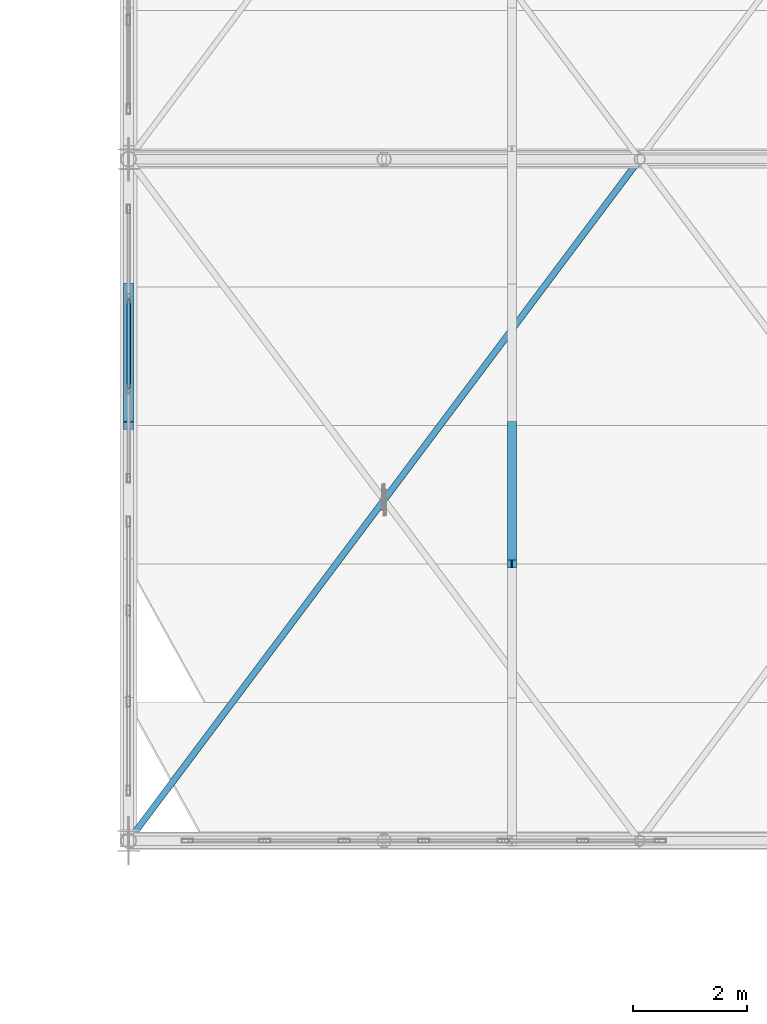
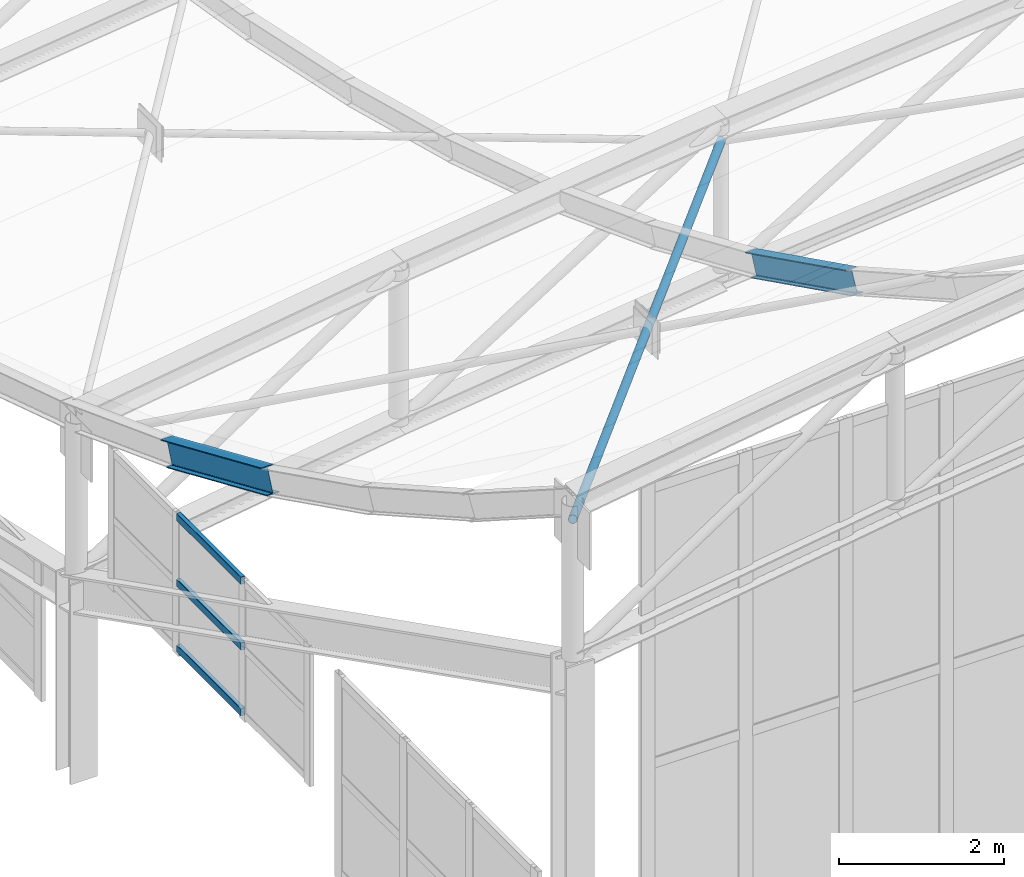
# One storey, part 43 of 262: 6 members, 1 element without a shape of its own.
"""IFC4 building model written with IfcOpenShell, lengths in metres."""

from ifc_helpers import new_model, si_unit, derived_unit, direction, frame, origin, origin_2d, place, context, subcontext, project, spatial, hollow_rectangle, hollow_circle, i_section, extrude, material, layer, layer_set, material_profile, profile_set, type_object, element, aggregate, save


model = new_model("IFC4")

# Units and contexts
model_context = context("Model", 3, precision=1e-05, world=origin(), true_north=direction((0.0, 1.0)))
body_context = subcontext(model_context, "Body", "Model", "MODEL_VIEW")
ifc_project = project(units=[si_unit("LENGTHUNIT", "METRE"), si_unit("AREAUNIT", "SQUARE_METRE"), si_unit("VOLUMEUNIT", "CUBIC_METRE"), si_unit("PLANEANGLEUNIT", "RADIAN"), si_unit("MASSUNIT", "GRAM", prefix="KILO"), derived_unit("THERMALTRANSMITTANCEUNIT", [(si_unit("POWERUNIT", "WATT"), 1), (si_unit("LENGTHUNIT", "METRE"), -2), (si_unit("THERMODYNAMICTEMPERATUREUNIT", "KELVIN"), -1)])], contexts=[model_context])

# Site, building, storey
site_placement = place(None, origin())
site = spatial("IfcSite", under=ifc_project, at=site_placement, CompositionType="ELEMENT")
building_placement = place(site_placement, origin())
building = spatial("IfcBuilding", under=site, at=building_placement, Name="Almenara Railside Exhibition Hall", CompositionType="ELEMENT")
storey_placement = place(building_placement, frame((0.0, 0.0, 21.699951171875)))
storey = spatial("IfcBuildingStorey", under=building, at=storey_placement, Name="RF", CompositionType="ELEMENT", Elevation=21.699951171875)

# Curtain wall, members
ifc_material_1 = material(Name="Bronze-anodised aluminium and low-E double glazing", Category="aluminium")
ifc_layer = layer(ifc_material_1, 0.179931640625, Name="Bronze-anodised aluminium and low-E double glazing")
ifc_layer_set = layer_set([ifc_layer], Name="Bronze-anodised aluminium and low-E double glazing")
curtain_wall_type = type_object("IfcCurtainWallType", Name="West Hall Clerestory Curtain Wall 4200x2400", PredefinedType="NOTDEFINED", material=ifc_layer_set)
curtain_wall_placement = place(storey_placement, origin())
curtain_wall = element("IfcCurtainWall", 1, at=curtain_wall_placement, inside=storey, type_object=curtain_wall_type, Name="Curtain wall CW-CL1-169", PredefinedType="NOTDEFINED")
ifc_material_2 = material(Name="Bronze-anodised aluminium", Category="aluminium")
ifc_material_profile_1 = material_profile(ifc_material_2, hollow_rectangle(XDim=0.06005859375, YDim=0.110107421875, WallThickness=0.0029296875, InnerFilletRadius=0.0029296875, OuterFilletRadius=0.006103515625, at=origin_2d()), Name="ALU-TRN 60x110x3")
ifc_profile_set_1 = profile_set([ifc_material_profile_1], Name="Bronze-anodised aluminium")
member_type_1 = type_object("IfcMemberType", Name="Curtain Wall Transom 60x110x3", PredefinedType="USERDEFINED", material=ifc_profile_set_1)
member_1_placement = place(storey_placement, frame((12.0, 55.971923828125, 0.945068359375), z_axis=(0.0, 1.0, 0.0), x_axis=(-1.0, 0.0, 0.0)))
member_1 = element("IfcMember", 2, at=member_1_placement, type_object=member_type_1, Name="CW-CL1-169 transom 2.1", ObjectType="TRANSOM", PredefinedType="USERDEFINED", context=body_context, shape_type="SweptSolid", body=[
    extrude(hollow_rectangle(XDim=0.06005859375, YDim=0.110107421875, WallThickness=0.0029296875, InnerFilletRadius=0.0029296875, OuterFilletRadius=0.006103515625, at=origin_2d()), origin(), (0.0, 0.0, 1.0), 1.55615234375),
])
member_2_placement = place(storey_placement, frame((12.0, 55.971923828125, 1.9150390625), z_axis=(0.0, 1.0, 0.0), x_axis=(-1.0, 0.0, 0.0)))
member_2 = element("IfcMember", 3, at=member_2_placement, type_object=member_type_1, Name="CW-CL1-169 transom 2.2", ObjectType="TRANSOM", PredefinedType="USERDEFINED", context=body_context, shape_type="SweptSolid", body=[
    extrude(hollow_rectangle(XDim=0.06005859375, YDim=0.110107421875, WallThickness=0.0029296875, InnerFilletRadius=0.0029296875, OuterFilletRadius=0.006103515625, at=origin_2d()), origin(), (0.0, 0.0, 1.0), 1.55615234375),
])
member_3_placement = place(storey_placement, frame((12.0, 55.971923828125, 2.885009765625), z_axis=(0.0, 1.0, 0.0), x_axis=(-1.0, 0.0, 0.0)))
member_3 = element("IfcMember", 4, at=member_3_placement, type_object=member_type_1, Name="CW-CL1-169 transom 2.3", ObjectType="TRANSOM", PredefinedType="USERDEFINED", context=body_context, shape_type="SweptSolid", body=[
    extrude(hollow_rectangle(XDim=0.06005859375, YDim=0.110107421875, WallThickness=0.0029296875, InnerFilletRadius=0.0029296875, OuterFilletRadius=0.006103515625, at=origin_2d()), origin(), (0.0, 0.0, 1.0), 1.55615234375),
])
aggregate(curtain_wall, [member_1, member_2, member_3])

# Members
ifc_material_3 = material(Name="Structural steel S355JR", Category="steel")
ifc_material_profile_2 = material_profile(ifc_material_3, i_section(OverallWidth=0.159912109375, OverallDepth=0.330078125, WebThickness=0.007568359375, FlangeThickness=0.011474609375, FilletRadius=0.01806640625, at=origin_2d()), Name="IPE 330")
ifc_profile_set_2 = profile_set([ifc_material_profile_2], Name="Structural steel S355JR")
member_type_2 = type_object("IfcMemberType", Name="Gable Bay Purlin IPE 330 S355JR", PredefinedType="PURLIN", material=ifc_profile_set_2)
member_4_placement = place(storey_placement, frame((18.75, 52.873291015625, 6.81396484375), z_axis=(0.0, 0.895376074457, -0.445310773831), x_axis=(-1.0, 0.0, 0.0)))
element("IfcMember", 5, at=member_4_placement, inside=storey, type_object=member_type_2, Name="MEM-PR-V1-PR-IPE330-01-02", PredefinedType="PURLIN", context=body_context, shape_type="SweptSolid", body=[
    extrude(i_section(OverallWidth=0.159912109375, OverallDepth=0.330078125, WebThickness=0.007568359375, FlangeThickness=0.011474609375, FilletRadius=0.01806640625, at=origin_2d()), origin(), (0.0, 0.0, 1.0), 2.721435546875),
])
ifc_material_profile_3 = material_profile(ifc_material_3, i_section(OverallWidth=0.169921875, OverallDepth=0.360107421875, WebThickness=0.008056640625, FlangeThickness=0.0126953125, FilletRadius=0.01806640625, at=origin_2d()), Name="IPE 360")
ifc_profile_set_3 = profile_set([ifc_material_profile_3], Name="Structural steel S355JR")
member_type_3 = type_object("IfcMemberType", Name="Long-Span Scroll Purlin IPE 360 S355JR", PredefinedType="PURLIN", material=ifc_profile_set_3)
member_5_placement = place(storey_placement, frame((12.0, 55.31005859375, 4.766357421875), z_axis=(0.0, 0.917189812532, -0.398450558775), x_axis=(-1.0, 0.0, 0.0)))
element("IfcMember", 6, at=member_5_placement, inside=storey, type_object=member_type_3, Name="MEM-PR-V1-PR-IPE360-00-03", PredefinedType="PURLIN", context=body_context, shape_type="SweptSolid", body=[
    extrude(i_section(OverallWidth=0.169921875, OverallDepth=0.360107421875, WebThickness=0.008056640625, FlangeThickness=0.0126953125, FilletRadius=0.01806640625, at=origin_2d()), origin(), (0.0, 0.0, 1.0), 2.65673828125),
])
ifc_material_profile_4 = material_profile(ifc_material_3, hollow_circle(Radius=0.05712890625, WallThickness=0.00439453125, at=origin_2d()), Name="CHS 114.3x4.5")
ifc_profile_set_4 = profile_set([ifc_material_profile_4], Name="Structural steel S355JR")
member_type_4 = type_object("IfcMemberType", Name="Roof Wind Plan X-Brace CHS 114.3x4.5 S355JR", PredefinedType="BRACE", material=ifc_profile_set_4)
member_6_placement = place(storey_placement, frame((12.0, 48.0, 8.6201171875), z_axis=(0.571047854819, 0.761397139759, -0.306885553706), x_axis=(-0.8, 0.6, 0.0)))
element("IfcMember", 7, at=member_6_placement, inside=storey, type_object=member_type_4, Name="MEM-WB-V1-WB-CHS114-00-00-C", PredefinedType="BRACE", context=body_context, shape_type="SweptSolid", body=[
    extrude(hollow_circle(Radius=0.05712890625, WallThickness=0.00439453125, at=origin_2d()), origin(), (0.0, 0.0, 1.0), 15.760498046875),
])

save(model, "model.ifc")
